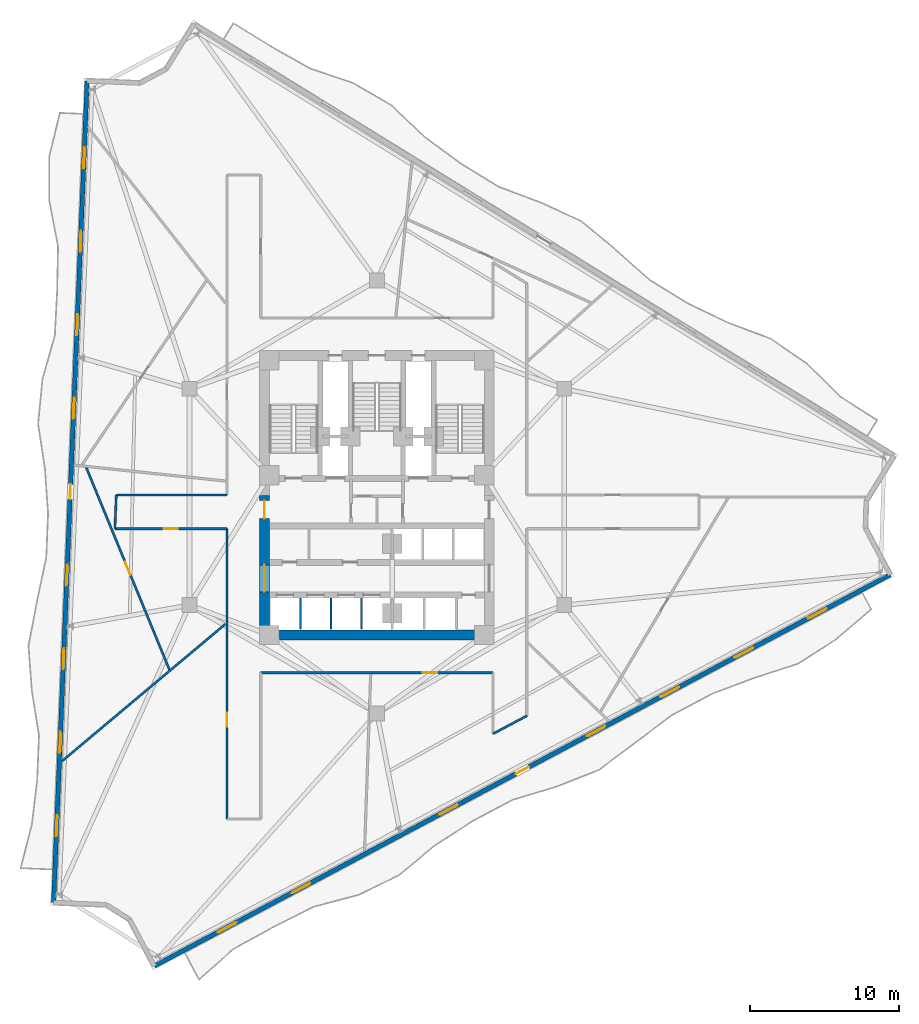
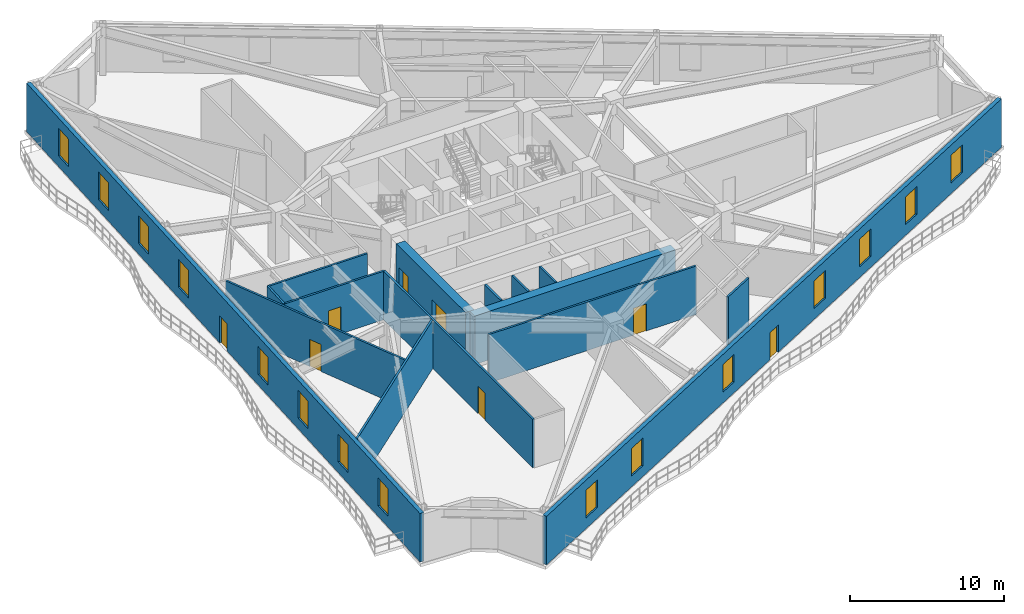
# One storey, part 5 of 12: 15 walls, 15 windows, 8 doors, 23 openings.
"""IFC4 building model written with IfcOpenShell, lengths in metres."""

import ifcopenshell
import ifcopenshell.guid

model = None  # the IFC model being written
_history = None  # IfcOwnerHistory: only IFC2X3 demands one
_inside = {}  # id of a spatial element -> (the spatial element, [elements in it])
_under = {}  # id of a project, library or spatial element -> (it, [spatial elements below it])
_declared = {}  # id of a project -> (the project, [libraries it declares])
_typed = {}  # id of a type object -> (the type object, [elements of that type])
_made_of = {}  # id of a material, layer set ... -> (it, [elements and type objects made of it])


def new_model(schema):
    """Start an empty IFC model of exactly this schema.

    Asked for "IFC4X3", IfcOpenShell would pick the latest addendum, in which some entities
    have other attributes; the version numbers below select the first issue.
    IFC2X3 requires an IfcOwnerHistory on every rooted entity: one is made here for all.
    """
    global model, _history
    if schema == "IFC4X3":
        model = ifcopenshell.file(schema_version=(4, 3, 0, 0))
    else:
        model = ifcopenshell.file(schema=schema)
    _inside.clear()
    _under.clear()
    _declared.clear()
    _typed.clear()
    _made_of.clear()
    _history = None
    if model.schema == "IFC2X3":
        org = make("IfcOrganization", Name="unknown")
        user = make(
            "IfcPersonAndOrganization",
            ThePerson=make("IfcPerson", FamilyName="unknown"),
            TheOrganization=org,
        )
        app = make(
            "IfcApplication",
            ApplicationDeveloper=org,
            Version="unknown",
            ApplicationFullName="unknown",
            ApplicationIdentifier="unknown",
        )
        _history = make(
            "IfcOwnerHistory",
            OwningUser=user,
            OwningApplication=app,
            ChangeAction="ADDED",
            CreationDate=0,
        )
    return model


def make(cls, **values):
    """One entity of the class cls with the attributes given. An attribute that is None is left unset."""
    return model.create_entity(
        cls, **{name: value for name, value in values.items() if value is not None}
    )


def rooted(cls, **values):
    """An entity with a GlobalId (a new one), such as an element, a storey or a relation."""
    return make(cls, GlobalId=ifcopenshell.guid.new(), OwnerHistory=_history, **values)


def si_unit(unit_type, name, prefix=None):
    """IfcSIUnit, for example si_unit("LENGTHUNIT", "METRE", prefix="MILLI")."""
    return make("IfcSIUnit", UnitType=unit_type, Prefix=prefix, Name=name)


def assignment(units):
    """IfcUnitAssignment: the units of a project."""
    return None if units is None else make("IfcUnitAssignment", Units=units)


def point(xyz):
    """IfcCartesianPoint."""
    return None if xyz is None else make("IfcCartesianPoint", Coordinates=xyz)


def direction(xyz):
    """IfcDirection."""
    return None if xyz is None else make("IfcDirection", DirectionRatios=xyz)


def frame(location, z_axis=None, x_axis=None):
    """IfcAxis2Placement3D, a coordinate frame: its origin and axes. An axis left out is left unset."""
    return make(
        "IfcAxis2Placement3D",
        Location=point(location),
        Axis=direction(z_axis),
        RefDirection=direction(x_axis),
    )


def frame_2d(location, x_axis=None):
    """IfcAxis2Placement2D, a coordinate frame in the plane: its origin and x axis."""
    return make(
        "IfcAxis2Placement2D", Location=point(location), RefDirection=direction(x_axis)
    )


def origin():
    """The frame at (0, 0, 0) with its axes left unset."""
    return frame((0.0, 0.0, 0.0))


def place(relative_to, where):
    """IfcLocalPlacement: puts the frame where relative to a parent placement (None: the world)."""
    return make(
        "IfcLocalPlacement", PlacementRelTo=relative_to, RelativePlacement=where
    )


def context(
    kind, dimensions, precision=None, world=None, true_north=None, identifier=None
):
    """IfcGeometricRepresentationContext, for example the 3D "Model" context."""
    return make(
        "IfcGeometricRepresentationContext",
        ContextIdentifier=identifier,
        ContextType=kind,
        CoordinateSpaceDimension=dimensions,
        Precision=precision,
        WorldCoordinateSystem=world,
        TrueNorth=true_north,
    )


def subcontext(parent, identifier, kind, view, scale=None):
    """IfcGeometricRepresentationSubContext, for example "Body" below "Model"."""
    return make(
        "IfcGeometricRepresentationSubContext",
        ContextIdentifier=identifier,
        ContextType=kind,
        ParentContext=parent,
        TargetScale=scale,
        TargetView=view,
    )


def project(units=None, contexts=None):
    """IfcProject with its units and contexts."""
    return rooted(
        "IfcProject",
        Name="project",
        RepresentationContexts=contexts,
        UnitsInContext=assignment(units),
    )


def spatial(cls, under=None, at=None, **own):
    """A site, building, storey or space (cls), placed at a placement, below another one or the project."""
    s = rooted(cls, ObjectPlacement=at, **own)
    if under is not None:
        _under.setdefault(under.id(), (under, []))[1].append(s)
    return s


def profile(cls, at=None, kind="AREA", **sizes):
    """A parametric profile (cls). Its sizes go by their IFC names, for example OverallWidth=200.0."""
    return make(cls, ProfileType=kind, Position=at, **sizes)


def rectangle(**sizes):
    """IfcRectangleProfileDef."""
    return profile("IfcRectangleProfileDef", **sizes)


def extrude(swept, where, along, depth):
    """IfcExtrudedAreaSolid: the profile swept, set in the frame where, extruded along a direction by depth."""
    return make(
        "IfcExtrudedAreaSolid",
        SweptArea=swept,
        Position=where,
        ExtrudedDirection=direction(along),
        Depth=depth,
    )


def shape(context_of_items, identifier, shape_type, items):
    """IfcShapeRepresentation: the items that make up one representation, for example the "Body"."""
    return make(
        "IfcShapeRepresentation",
        ContextOfItems=context_of_items,
        RepresentationIdentifier=identifier,
        RepresentationType=shape_type,
        Items=items,
    )


def material(Name=None, Category=None):
    """IfcMaterial."""
    return make("IfcMaterial", Name=Name, Category=Category)


def layer(
    of_material, thickness, ventilated=None, Name=None, Category=None, Priority=None
):
    """IfcMaterialLayer: one layer of a wall or slab, of a material (None: an air gap)."""
    return make(
        "IfcMaterialLayer",
        Material=of_material,
        LayerThickness=thickness,
        IsVentilated=ventilated,
        Name=Name,
        Category=Category,
        Priority=Priority,
    )


def layer_set(layers, Name=None):
    """IfcMaterialLayerSet."""
    return make("IfcMaterialLayerSet", MaterialLayers=layers, LayerSetName=Name)


def made_of(thing, what):
    """Note that an element or type object is made of a material, layer set ...; save() writes the relation."""
    if what is not None:
        _made_of.setdefault(what.id(), (what, []))[1].append(thing)
    return thing


def type_object(cls, material=None, **own):
    """A type object (cls), such as IfcWallType, which elements share."""
    return made_of(rooted(cls, **own), material)


def element(
    cls,
    number,
    at=None,
    inside=None,
    cuts=None,
    type_object=None,
    material=None,
    context=None,
    identifier="Body",
    shape_type=None,
    held_by="IfcProductDefinitionShape",
    body=None,
    shapes=None,
    **own,
):
    """One element of the class cls, such as IfcWall. Its Tag is "e" and its number.

    at: its placement. inside: the storey or other place that contains it. cuts: it is an
    opening in that element (IfcRelVoidsElement). A single representation is given by context,
    identifier, shape_type and body (its items); several are given by shapes. held_by: the class
    of the entity that holds the representations. save() writes the other relations.
    """
    e = rooted(cls, Tag="e%d" % number, ObjectPlacement=at, **own)
    if body is not None:
        shapes = [shape(context, identifier, shape_type, body)]
    if shapes is not None:
        e.Representation = make(held_by, Representations=shapes)
    if inside is not None:
        _inside.setdefault(inside.id(), (inside, []))[1].append(e)
    if cuts is not None:
        rooted(
            "IfcRelVoidsElement", RelatingBuildingElement=cuts, RelatedOpeningElement=e
        )
    if type_object is not None:
        _typed.setdefault(type_object.id(), (type_object, []))[1].append(e)
    return made_of(e, material)


def fill(opening, filler):
    """IfcRelFillsElement: the door or window that sits in an opening."""
    return rooted(
        "IfcRelFillsElement",
        RelatingOpeningElement=opening,
        RelatedBuildingElement=filler,
    )


def aggregate(whole, parts):
    """IfcRelAggregates: a whole, such as a stair, and the parts it consists of."""
    return rooted("IfcRelAggregates", RelatingObject=whole, RelatedObjects=parts)


def save(model, path):
    """Write the relations noted so far, then the file.

    IfcRelAggregates (storeys below a building ...), IfcRelContainedInSpatialStructure (elements
    in a storey), IfcRelDefinesByType, IfcRelAssociatesMaterial and IfcRelDeclares: one each for
    every whole, place, type object, material and project.
    """
    for whole, parts in _under.values():
        aggregate(whole, parts)
    for where, things in _inside.values():
        rooted(
            "IfcRelContainedInSpatialStructure",
            RelatedElements=things,
            RelatingStructure=where,
        )
    for kind, things in _typed.values():
        rooted("IfcRelDefinesByType", RelatedObjects=things, RelatingType=kind)
    for what, things in _made_of.values():
        rooted("IfcRelAssociatesMaterial", RelatedObjects=things, RelatingMaterial=what)
    for by, libraries in _declared.values():
        rooted("IfcRelDeclares", RelatingContext=by, RelatedDefinitions=libraries)
    model.write(path)


model = new_model("IFC4")

# Units and contexts
model_context = context("Model", 3, precision=1e-05, world=origin(), true_north=direction((0.0, 1.0)))
body_context = subcontext(model_context, "Body", "Model", "MODEL_VIEW")
ifc_project = project(units=[si_unit("LENGTHUNIT", "METRE"), si_unit("AREAUNIT", "SQUARE_METRE"), si_unit("VOLUMEUNIT", "CUBIC_METRE"), si_unit("PLANEANGLEUNIT", "RADIAN"), si_unit("MASSUNIT", "GRAM", prefix="KILO")], contexts=[model_context])

# Site, building, storey
site_placement = place(None, origin())
site = spatial("IfcSite", under=ifc_project, at=site_placement, CompositionType="ELEMENT")
building_placement = place(site_placement, origin())
building = spatial("IfcBuilding", under=site, at=building_placement, Name="Apsidion Concourse Tower", CompositionType="ELEMENT")
storey_placement = place(building_placement, frame((0.0, 0.0, 173.699951171875)))
storey = spatial("IfcBuildingStorey", under=building, at=storey_placement, Name="L40", CompositionType="ELEMENT", Elevation=173.699951171875)

# Wall, openings, door, windows
ifc_material_1 = material(Name="Precast concrete C40/50", Category="concrete")
ifc_layer_1 = layer(ifc_material_1, 0.300048828125)
ifc_layer_set_1 = layer_set([ifc_layer_1], Name="Precast concrete C40/50")
wall_type_1 = type_object("IfcWallType", Name="WL-EXT-300", PredefinedType="STANDARD", material=ifc_layer_set_1)
wall_1_placement = place(storey_placement, frame((34.398193359375, -5.216796875, 0.0), z_axis=(0.0, 0.0, 1.0), x_axis=(-0.88294811928, -0.469470572731, 0.0)))
wall_1 = element("IfcWall", 1, at=wall_1_placement, inside=storey, type_object=wall_type_1, Name="L40 Precast Stone Facade Wall 05", PredefinedType="STANDARD", context=body_context, shape_type="SweptSolid", body=[
    extrude(rectangle(XDim=55.845458984375, YDim=0.300048828125, at=frame_2d((27.9228515625, 0.0))), origin(), (0.0, 0.0, 1.0), 3.85009765625),
])
opening_1_placement = place(wall_1_placement, frame((27.422607421875, 0.0, 0.0)))
opening_1 = element("IfcOpeningElement", 2, at=opening_1_placement, cuts=wall_1, Name="Opening D-T1R", PredefinedType="OPENING", context=body_context, shape_type="SweptSolid", body=[
    extrude(rectangle(XDim=1.0, YDim=2.14990234375, at=frame_2d((0.5, 1.074951171875))), frame((0.0, 0.16015625, 0.0), z_axis=(0.0, -1.0, 0.0), x_axis=(1.0, 0.0, 0.0)), (0.0, 0.0, 1.0), 0.320068359375),
])
opening_2_placement = place(wall_1_placement, frame((4.82275390625, 0.0, 0.85009765625)))
opening_2 = element("IfcOpeningElement", 3, at=opening_2_placement, cuts=wall_1, Name="Opening WN-05", PredefinedType="OPENING", context=body_context, shape_type="SweptSolid", body=[
    extrude(rectangle(XDim=1.39990234375, YDim=2.199951171875, at=frame_2d((0.699951171875, 1.10009765625))), frame((0.0, 0.16015625, 0.0), z_axis=(0.0, -1.0, 0.0), x_axis=(1.0, 0.0, 0.0)), (0.0, 0.0, 1.0), 0.320068359375),
])
opening_3_placement = place(wall_1_placement, frame((10.422607421875, 0.0, 0.85009765625)))
opening_3 = element("IfcOpeningElement", 4, at=opening_3_placement, cuts=wall_1, Name="Opening WN-05", PredefinedType="OPENING", context=body_context, shape_type="SweptSolid", body=[
    extrude(rectangle(XDim=1.39990234375, YDim=2.199951171875, at=frame_2d((0.699951171875, 1.10009765625))), frame((0.0, 0.16015625, 0.0), z_axis=(0.0, -1.0, 0.0), x_axis=(1.0, 0.0, 0.0)), (0.0, 0.0, 1.0), 0.320068359375),
])
opening_4_placement = place(wall_1_placement, frame((16.022705078125, 0.0, 0.85009765625)))
opening_4 = element("IfcOpeningElement", 5, at=opening_4_placement, cuts=wall_1, Name="Opening WN-05", PredefinedType="OPENING", context=body_context, shape_type="SweptSolid", body=[
    extrude(rectangle(XDim=1.39990234375, YDim=2.199951171875, at=frame_2d((0.699951171875, 1.10009765625))), frame((0.0, 0.16015625, 0.0), z_axis=(0.0, -1.0, 0.0), x_axis=(1.0, 0.0, 0.0)), (0.0, 0.0, 1.0), 0.320068359375),
])
opening_5_placement = place(wall_1_placement, frame((21.622802734375, 0.0, 0.85009765625)))
opening_5 = element("IfcOpeningElement", 6, at=opening_5_placement, cuts=wall_1, Name="Opening WN-05", PredefinedType="OPENING", context=body_context, shape_type="SweptSolid", body=[
    extrude(rectangle(XDim=1.39990234375, YDim=2.199951171875, at=frame_2d((0.699951171875, 1.10009765625))), frame((0.0, 0.16015625, 0.0), z_axis=(0.0, -1.0, 0.0), x_axis=(1.0, 0.0, 0.0)), (0.0, 0.0, 1.0), 0.320068359375),
])
opening_6_placement = place(wall_1_placement, frame((32.82275390625, 0.0, 0.85009765625)))
opening_6 = element("IfcOpeningElement", 7, at=opening_6_placement, cuts=wall_1, Name="Opening WN-05", PredefinedType="OPENING", context=body_context, shape_type="SweptSolid", body=[
    extrude(rectangle(XDim=1.39990234375, YDim=2.199951171875, at=frame_2d((0.699951171875, 1.10009765625))), frame((0.0, 0.16015625, 0.0), z_axis=(0.0, -1.0, 0.0), x_axis=(1.0, 0.0, 0.0)), (0.0, 0.0, 1.0), 0.320068359375),
])
opening_7_placement = place(wall_1_placement, frame((44.022705078125, 0.0, 0.85009765625)))
opening_7 = element("IfcOpeningElement", 8, at=opening_7_placement, cuts=wall_1, Name="Opening WN-05", PredefinedType="OPENING", context=body_context, shape_type="SweptSolid", body=[
    extrude(rectangle(XDim=1.39990234375, YDim=2.199951171875, at=frame_2d((0.699951171875, 1.10009765625))), frame((0.0, 0.16015625, 0.0), z_axis=(0.0, -1.0, 0.0), x_axis=(1.0, 0.0, 0.0)), (0.0, 0.0, 1.0), 0.320068359375),
])
opening_8_placement = place(wall_1_placement, frame((49.622802734375, 0.0, 0.85009765625)))
opening_8 = element("IfcOpeningElement", 9, at=opening_8_placement, cuts=wall_1, Name="Opening WN-05", PredefinedType="OPENING", context=body_context, shape_type="SweptSolid", body=[
    extrude(rectangle(XDim=1.39990234375, YDim=2.199951171875, at=frame_2d((0.699951171875, 1.10009765625))), frame((0.0, 0.16015625, 0.0), z_axis=(0.0, -1.0, 0.0), x_axis=(1.0, 0.0, 0.0)), (0.0, 0.0, 1.0), 0.320068359375),
])
ifc_material_2 = material(Name="Anodised aluminium EN AW-6063 T6", Category="aluminium")
door_type_1 = type_object("IfcDoorType", Name="DR-TER-1022R", OperationType="SINGLE_SWING_RIGHT", PredefinedType="DOOR", material=ifc_material_2)
door_1_placement = place(opening_1_placement, origin())
door_1 = element("IfcDoor", 10, at=door_1_placement, inside=storey, type_object=door_type_1, Name="L40 Balcony Access Door 2", OperationType="SINGLE_SWING_RIGHT", OverallHeight=2.14990234375, OverallWidth=1.0, PredefinedType="DOOR", context=body_context, shape_type="SweptSolid", body=[
    extrude(rectangle(XDim=1.0, YDim=2.14990234375, at=frame_2d((0.5, 1.074951171875))), frame((0.0, 0.02490234375, 0.0), z_axis=(0.0, -1.0, 0.0), x_axis=(1.0, 0.0, 0.0)), (0.0, 0.0, 1.0), 0.050048828125),
])
fill(opening_1, door_1)
ifc_material_3 = material(Name="Insulated laminated low-E glass", Category="glass")
window_type = type_object("IfcWindowType", Name="WN-OFF-1424", PartitioningType="SINGLE_PANEL", PredefinedType="WINDOW", material=ifc_material_3)
window_1_placement = place(opening_2_placement, origin())
window_1 = element("IfcWindow", 11, at=window_1_placement, inside=storey, type_object=window_type, Name="L40 Punched Facade Window 5-01", OverallHeight=2.199951171875, OverallWidth=1.39990234375, PartitioningType="SINGLE_PANEL", PredefinedType="WINDOW", context=body_context, shape_type="SweptSolid", body=[
    extrude(rectangle(XDim=1.39990234375, YDim=2.199951171875, at=frame_2d((0.699951171875, 1.10009765625))), frame((0.0, 0.030029296875, 0.0), z_axis=(0.0, -1.0, 0.0), x_axis=(1.0, 0.0, 0.0)), (0.0, 0.0, 1.0), 0.06005859375),
])
fill(opening_2, window_1)
window_2_placement = place(opening_3_placement, origin())
window_2 = element("IfcWindow", 12, at=window_2_placement, inside=storey, type_object=window_type, Name="L40 Punched Facade Window 5-02", OverallHeight=2.199951171875, OverallWidth=1.39990234375, PartitioningType="SINGLE_PANEL", PredefinedType="WINDOW", context=body_context, shape_type="SweptSolid", body=[
    extrude(rectangle(XDim=1.39990234375, YDim=2.199951171875, at=frame_2d((0.699951171875, 1.10009765625))), frame((0.0, 0.030029296875, 0.0), z_axis=(0.0, -1.0, 0.0), x_axis=(1.0, 0.0, 0.0)), (0.0, 0.0, 1.0), 0.06005859375),
])
fill(opening_3, window_2)
window_3_placement = place(opening_4_placement, origin())
window_3 = element("IfcWindow", 13, at=window_3_placement, inside=storey, type_object=window_type, Name="L40 Punched Facade Window 5-03", OverallHeight=2.199951171875, OverallWidth=1.39990234375, PartitioningType="SINGLE_PANEL", PredefinedType="WINDOW", context=body_context, shape_type="SweptSolid", body=[
    extrude(rectangle(XDim=1.39990234375, YDim=2.199951171875, at=frame_2d((0.699951171875, 1.10009765625))), frame((0.0, 0.030029296875, 0.0), z_axis=(0.0, -1.0, 0.0), x_axis=(1.0, 0.0, 0.0)), (0.0, 0.0, 1.0), 0.06005859375),
])
fill(opening_4, window_3)
window_4_placement = place(opening_5_placement, origin())
window_4 = element("IfcWindow", 14, at=window_4_placement, inside=storey, type_object=window_type, Name="L40 Punched Facade Window 5-04", OverallHeight=2.199951171875, OverallWidth=1.39990234375, PartitioningType="SINGLE_PANEL", PredefinedType="WINDOW", context=body_context, shape_type="SweptSolid", body=[
    extrude(rectangle(XDim=1.39990234375, YDim=2.199951171875, at=frame_2d((0.699951171875, 1.10009765625))), frame((0.0, 0.030029296875, 0.0), z_axis=(0.0, -1.0, 0.0), x_axis=(1.0, 0.0, 0.0)), (0.0, 0.0, 1.0), 0.06005859375),
])
fill(opening_5, window_4)
window_5_placement = place(opening_6_placement, origin())
window_5 = element("IfcWindow", 15, at=window_5_placement, inside=storey, type_object=window_type, Name="L40 Punched Facade Window 5-06", OverallHeight=2.199951171875, OverallWidth=1.39990234375, PartitioningType="SINGLE_PANEL", PredefinedType="WINDOW", context=body_context, shape_type="SweptSolid", body=[
    extrude(rectangle(XDim=1.39990234375, YDim=2.199951171875, at=frame_2d((0.699951171875, 1.10009765625))), frame((0.0, 0.030029296875, 0.0), z_axis=(0.0, -1.0, 0.0), x_axis=(1.0, 0.0, 0.0)), (0.0, 0.0, 1.0), 0.06005859375),
])
fill(opening_6, window_5)
window_6_placement = place(opening_7_placement, origin())
window_6 = element("IfcWindow", 16, at=window_6_placement, inside=storey, type_object=window_type, Name="L40 Punched Facade Window 5-08", OverallHeight=2.199951171875, OverallWidth=1.39990234375, PartitioningType="SINGLE_PANEL", PredefinedType="WINDOW", context=body_context, shape_type="SweptSolid", body=[
    extrude(rectangle(XDim=1.39990234375, YDim=2.199951171875, at=frame_2d((0.699951171875, 1.10009765625))), frame((0.0, 0.030029296875, 0.0), z_axis=(0.0, -1.0, 0.0), x_axis=(1.0, 0.0, 0.0)), (0.0, 0.0, 1.0), 0.06005859375),
])
fill(opening_7, window_6)
window_7_placement = place(opening_8_placement, origin())
window_7 = element("IfcWindow", 17, at=window_7_placement, inside=storey, type_object=window_type, Name="L40 Punched Facade Window 5-09", OverallHeight=2.199951171875, OverallWidth=1.39990234375, PartitioningType="SINGLE_PANEL", PredefinedType="WINDOW", context=body_context, shape_type="SweptSolid", body=[
    extrude(rectangle(XDim=1.39990234375, YDim=2.199951171875, at=frame_2d((0.699951171875, 1.10009765625))), frame((0.0, 0.030029296875, 0.0), z_axis=(0.0, -1.0, 0.0), x_axis=(1.0, 0.0, 0.0)), (0.0, 0.0, 1.0), 0.06005859375),
])
fill(opening_8, window_7)

wall_2_placement = place(storey_placement, frame((-21.66748046875, -27.184326171875, 0.0), z_axis=(0.0, 0.0, 1.0), x_axis=(0.040813869681, 0.999166766882, 0.0)))
wall_2 = element("IfcWall", 18, at=wall_2_placement, inside=storey, type_object=wall_type_1, Name="L40 Precast Stone Facade Wall 09", PredefinedType="STANDARD", context=body_context, shape_type="SweptSolid", body=[
    extrude(rectangle(XDim=55.1103515625, YDim=0.300048828125, at=frame_2d((27.55517578125, 0.0))), origin(), (0.0, 0.0, 1.0), 3.85009765625),
])
opening_9_placement = place(wall_2_placement, frame((27.055419921875, 0.0, 0.0)))
opening_9 = element("IfcOpeningElement", 19, at=opening_9_placement, cuts=wall_2, Name="Opening D-T1L", PredefinedType="OPENING", context=body_context, shape_type="SweptSolid", body=[
    extrude(rectangle(XDim=1.0, YDim=2.14990234375, at=frame_2d((0.5, 1.074951171875))), frame((0.0, 0.16015625, 0.0), z_axis=(0.0, -1.0, 0.0), x_axis=(1.0, 0.0, 0.0)), (0.0, 0.0, 1.0), 0.320068359375),
])
opening_10_placement = place(wall_2_placement, frame((4.455322265625, 0.0, 0.85009765625)))
opening_10 = element("IfcOpeningElement", 20, at=opening_10_placement, cuts=wall_2, Name="Opening WN-05", PredefinedType="OPENING", context=body_context, shape_type="SweptSolid", body=[
    extrude(rectangle(XDim=1.39990234375, YDim=2.199951171875, at=frame_2d((0.699951171875, 1.10009765625))), frame((0.0, 0.16015625, 0.0), z_axis=(0.0, -1.0, 0.0), x_axis=(1.0, 0.0, 0.0)), (0.0, 0.0, 1.0), 0.320068359375),
])
opening_11_placement = place(wall_2_placement, frame((10.055419921875, 0.0, 0.85009765625)))
opening_11 = element("IfcOpeningElement", 21, at=opening_11_placement, cuts=wall_2, Name="Opening WN-05", PredefinedType="OPENING", context=body_context, shape_type="SweptSolid", body=[
    extrude(rectangle(XDim=1.39990234375, YDim=2.199951171875, at=frame_2d((0.699951171875, 1.10009765625))), frame((0.0, 0.16015625, 0.0), z_axis=(0.0, -1.0, 0.0), x_axis=(1.0, 0.0, 0.0)), (0.0, 0.0, 1.0), 0.320068359375),
])
opening_12_placement = place(wall_2_placement, frame((15.6552734375, 0.0, 0.85009765625)))
opening_12 = element("IfcOpeningElement", 22, at=opening_12_placement, cuts=wall_2, Name="Opening WN-05", PredefinedType="OPENING", context=body_context, shape_type="SweptSolid", body=[
    extrude(rectangle(XDim=1.39990234375, YDim=2.199951171875, at=frame_2d((0.699951171875, 1.10009765625))), frame((0.0, 0.16015625, 0.0), z_axis=(0.0, -1.0, 0.0), x_axis=(1.0, 0.0, 0.0)), (0.0, 0.0, 1.0), 0.320068359375),
])
opening_13_placement = place(wall_2_placement, frame((21.25537109375, 0.0, 0.85009765625)))
opening_13 = element("IfcOpeningElement", 23, at=opening_13_placement, cuts=wall_2, Name="Opening WN-05", PredefinedType="OPENING", context=body_context, shape_type="SweptSolid", body=[
    extrude(rectangle(XDim=1.39990234375, YDim=2.199951171875, at=frame_2d((0.699951171875, 1.10009765625))), frame((0.0, 0.16015625, 0.0), z_axis=(0.0, -1.0, 0.0), x_axis=(1.0, 0.0, 0.0)), (0.0, 0.0, 1.0), 0.320068359375),
])
opening_14_placement = place(wall_2_placement, frame((32.455322265625, 0.0, 0.85009765625)))
opening_14 = element("IfcOpeningElement", 24, at=opening_14_placement, cuts=wall_2, Name="Opening WN-05", PredefinedType="OPENING", context=body_context, shape_type="SweptSolid", body=[
    extrude(rectangle(XDim=1.39990234375, YDim=2.199951171875, at=frame_2d((0.699951171875, 1.10009765625))), frame((0.0, 0.16015625, 0.0), z_axis=(0.0, -1.0, 0.0), x_axis=(1.0, 0.0, 0.0)), (0.0, 0.0, 1.0), 0.320068359375),
])
opening_15_placement = place(wall_2_placement, frame((38.055419921875, 0.0, 0.85009765625)))
opening_15 = element("IfcOpeningElement", 25, at=opening_15_placement, cuts=wall_2, Name="Opening WN-05", PredefinedType="OPENING", context=body_context, shape_type="SweptSolid", body=[
    extrude(rectangle(XDim=1.39990234375, YDim=2.199951171875, at=frame_2d((0.699951171875, 1.10009765625))), frame((0.0, 0.16015625, 0.0), z_axis=(0.0, -1.0, 0.0), x_axis=(1.0, 0.0, 0.0)), (0.0, 0.0, 1.0), 0.320068359375),
])
opening_16_placement = place(wall_2_placement, frame((43.6552734375, 0.0, 0.85009765625)))
opening_16 = element("IfcOpeningElement", 26, at=opening_16_placement, cuts=wall_2, Name="Opening WN-05", PredefinedType="OPENING", context=body_context, shape_type="SweptSolid", body=[
    extrude(rectangle(XDim=1.39990234375, YDim=2.199951171875, at=frame_2d((0.699951171875, 1.10009765625))), frame((0.0, 0.16015625, 0.0), z_axis=(0.0, -1.0, 0.0), x_axis=(1.0, 0.0, 0.0)), (0.0, 0.0, 1.0), 0.320068359375),
])
opening_17_placement = place(wall_2_placement, frame((49.25537109375, 0.0, 0.85009765625)))
opening_17 = element("IfcOpeningElement", 27, at=opening_17_placement, cuts=wall_2, Name="Opening WN-05", PredefinedType="OPENING", context=body_context, shape_type="SweptSolid", body=[
    extrude(rectangle(XDim=1.39990234375, YDim=2.199951171875, at=frame_2d((0.699951171875, 1.10009765625))), frame((0.0, 0.16015625, 0.0), z_axis=(0.0, -1.0, 0.0), x_axis=(1.0, 0.0, 0.0)), (0.0, 0.0, 1.0), 0.320068359375),
])
door_type_2 = type_object("IfcDoorType", Name="DR-TER-1022L", OperationType="SINGLE_SWING_LEFT", PredefinedType="DOOR", material=ifc_material_2)
door_2_placement = place(opening_9_placement, origin())
door_2 = element("IfcDoor", 28, at=door_2_placement, inside=storey, type_object=door_type_2, Name="L40 Balcony Access Door 1", OperationType="SINGLE_SWING_LEFT", OverallHeight=2.14990234375, OverallWidth=1.0, PredefinedType="DOOR", context=body_context, shape_type="SweptSolid", body=[
    extrude(rectangle(XDim=1.0, YDim=2.14990234375, at=frame_2d((0.5, 1.074951171875))), frame((0.0, 0.02490234375, 0.0), z_axis=(0.0, -1.0, 0.0), x_axis=(1.0, 0.0, 0.0)), (0.0, 0.0, 1.0), 0.050048828125),
])
fill(opening_9, door_2)
window_8_placement = place(opening_10_placement, origin())
window_8 = element("IfcWindow", 29, at=window_8_placement, inside=storey, type_object=window_type, Name="L40 Punched Facade Window 9-01", OverallHeight=2.199951171875, OverallWidth=1.39990234375, PartitioningType="SINGLE_PANEL", PredefinedType="WINDOW", context=body_context, shape_type="SweptSolid", body=[
    extrude(rectangle(XDim=1.39990234375, YDim=2.199951171875, at=frame_2d((0.699951171875, 1.10009765625))), frame((0.0, 0.030029296875, 0.0), z_axis=(0.0, -1.0, 0.0), x_axis=(1.0, 0.0, 0.0)), (0.0, 0.0, 1.0), 0.06005859375),
])
fill(opening_10, window_8)
window_9_placement = place(opening_11_placement, origin())
window_9 = element("IfcWindow", 30, at=window_9_placement, inside=storey, type_object=window_type, Name="L40 Punched Facade Window 9-02", OverallHeight=2.199951171875, OverallWidth=1.39990234375, PartitioningType="SINGLE_PANEL", PredefinedType="WINDOW", context=body_context, shape_type="SweptSolid", body=[
    extrude(rectangle(XDim=1.39990234375, YDim=2.199951171875, at=frame_2d((0.699951171875, 1.10009765625))), frame((0.0, 0.030029296875, 0.0), z_axis=(0.0, -1.0, 0.0), x_axis=(1.0, 0.0, 0.0)), (0.0, 0.0, 1.0), 0.06005859375),
])
fill(opening_11, window_9)
window_10_placement = place(opening_12_placement, origin())
window_10 = element("IfcWindow", 31, at=window_10_placement, inside=storey, type_object=window_type, Name="L40 Punched Facade Window 9-03", OverallHeight=2.199951171875, OverallWidth=1.39990234375, PartitioningType="SINGLE_PANEL", PredefinedType="WINDOW", context=body_context, shape_type="SweptSolid", body=[
    extrude(rectangle(XDim=1.39990234375, YDim=2.199951171875, at=frame_2d((0.699951171875, 1.10009765625))), frame((0.0, 0.030029296875, 0.0), z_axis=(0.0, -1.0, 0.0), x_axis=(1.0, 0.0, 0.0)), (0.0, 0.0, 1.0), 0.06005859375),
])
fill(opening_12, window_10)
window_11_placement = place(opening_13_placement, origin())
window_11 = element("IfcWindow", 32, at=window_11_placement, inside=storey, type_object=window_type, Name="L40 Punched Facade Window 9-04", OverallHeight=2.199951171875, OverallWidth=1.39990234375, PartitioningType="SINGLE_PANEL", PredefinedType="WINDOW", context=body_context, shape_type="SweptSolid", body=[
    extrude(rectangle(XDim=1.39990234375, YDim=2.199951171875, at=frame_2d((0.699951171875, 1.10009765625))), frame((0.0, 0.030029296875, 0.0), z_axis=(0.0, -1.0, 0.0), x_axis=(1.0, 0.0, 0.0)), (0.0, 0.0, 1.0), 0.06005859375),
])
fill(opening_13, window_11)
window_12_placement = place(opening_14_placement, origin())
window_12 = element("IfcWindow", 33, at=window_12_placement, inside=storey, type_object=window_type, Name="L40 Punched Facade Window 9-06", OverallHeight=2.199951171875, OverallWidth=1.39990234375, PartitioningType="SINGLE_PANEL", PredefinedType="WINDOW", context=body_context, shape_type="SweptSolid", body=[
    extrude(rectangle(XDim=1.39990234375, YDim=2.199951171875, at=frame_2d((0.699951171875, 1.10009765625))), frame((0.0, 0.030029296875, 0.0), z_axis=(0.0, -1.0, 0.0), x_axis=(1.0, 0.0, 0.0)), (0.0, 0.0, 1.0), 0.06005859375),
])
fill(opening_14, window_12)
window_13_placement = place(opening_15_placement, origin())
window_13 = element("IfcWindow", 34, at=window_13_placement, inside=storey, type_object=window_type, Name="L40 Punched Facade Window 9-07", OverallHeight=2.199951171875, OverallWidth=1.39990234375, PartitioningType="SINGLE_PANEL", PredefinedType="WINDOW", context=body_context, shape_type="SweptSolid", body=[
    extrude(rectangle(XDim=1.39990234375, YDim=2.199951171875, at=frame_2d((0.699951171875, 1.10009765625))), frame((0.0, 0.030029296875, 0.0), z_axis=(0.0, -1.0, 0.0), x_axis=(1.0, 0.0, 0.0)), (0.0, 0.0, 1.0), 0.06005859375),
])
fill(opening_15, window_13)
window_14_placement = place(opening_16_placement, origin())
window_14 = element("IfcWindow", 35, at=window_14_placement, inside=storey, type_object=window_type, Name="L40 Punched Facade Window 9-08", OverallHeight=2.199951171875, OverallWidth=1.39990234375, PartitioningType="SINGLE_PANEL", PredefinedType="WINDOW", context=body_context, shape_type="SweptSolid", body=[
    extrude(rectangle(XDim=1.39990234375, YDim=2.199951171875, at=frame_2d((0.699951171875, 1.10009765625))), frame((0.0, 0.030029296875, 0.0), z_axis=(0.0, -1.0, 0.0), x_axis=(1.0, 0.0, 0.0)), (0.0, 0.0, 1.0), 0.06005859375),
])
fill(opening_16, window_14)
window_15_placement = place(opening_17_placement, origin())
window_15 = element("IfcWindow", 36, at=window_15_placement, inside=storey, type_object=window_type, Name="L40 Punched Facade Window 9-09", OverallHeight=2.199951171875, OverallWidth=1.39990234375, PartitioningType="SINGLE_PANEL", PredefinedType="WINDOW", context=body_context, shape_type="SweptSolid", body=[
    extrude(rectangle(XDim=1.39990234375, YDim=2.199951171875, at=frame_2d((0.699951171875, 1.10009765625))), frame((0.0, 0.030029296875, 0.0), z_axis=(0.0, -1.0, 0.0), x_axis=(1.0, 0.0, 0.0)), (0.0, 0.0, 1.0), 0.06005859375),
])
fill(opening_17, window_15)

# Walls
ifc_material_4 = material(Name="Gypsum plasterboard partition")
ifc_layer_2 = layer(ifc_material_4, 0.14990234375)
ifc_layer_set_2 = layer_set([ifc_layer_2], Name="Gypsum plasterboard partition")
wall_type_2 = type_object("IfcWallType", Name="WL-INT-PAR-150", PredefinedType="PARTITIONING", material=ifc_layer_set_2)
for number, where, z_axis, x_axis, name in (
    (37, (-5.125, -8.85009765625, 0.0), (0.0, 0.0, 1.0), (0.0, 1.0, 0.0), "L40 Interior Partition WL-L40-B2DIV-1"),
    (38, (-3.074951171875, -8.85009765625, 0.0), (0.0, 0.0, 1.0), (0.0, 1.0, 0.0), "L40 Interior Partition WL-L40-B2DIV-2"),
    (39, (-1.02490234375, -8.85009765625, 0.0), (0.0, 0.0, 1.0), (0.0, 1.0, 0.0), "L40 Interior Partition WL-L40-B2DIV-3"),
):
    element("IfcWall", number, at=place(storey_placement, frame(where, z_axis=z_axis, x_axis=x_axis)), inside=storey, type_object=wall_type_2, Name=name, PredefinedType="PARTITIONING", context=body_context, shape_type="SweptSolid", body=[
        extrude(rectangle(XDim=2.080078125, YDim=0.14990234375, at=frame_2d((1.0400390625, 0.0))), origin(), (0.0, 0.0, 1.0), 3.85009765625),
    ])
wall_3_placement = place(storey_placement, frame((10.050048828125, -14.6689453125, 0.0), z_axis=(0.0, 0.0, 1.0), x_axis=(-0.88294894539, -0.469469019035, 0.0)))
element("IfcWall", 40, at=wall_3_placement, inside=storey, type_object=wall_type_2, Name="L40 Interior Partition WL-L40-CORR-01", PredefinedType="PARTITIONING", context=body_context, shape_type="SweptSolid", body=[
    extrude(rectangle(XDim=2.5595703125, YDim=0.14990234375, at=frame_2d((1.27978515625, 0.0))), origin(), (0.0, 0.0, 1.0), 3.85009765625),
])

# Wall, opening, door
wall_4_placement = place(storey_placement, frame((7.7900390625, -11.77490234375, 0.0), z_axis=(0.0, 0.0, 1.0), x_axis=(-1.0, 0.0, 0.0)))
wall_4 = element("IfcWall", 41, at=wall_4_placement, inside=storey, type_object=wall_type_2, Name="L40 Interior Partition WL-L40-CORR-03", PredefinedType="PARTITIONING", context=body_context, shape_type="SweptSolid", body=[
    extrude(rectangle(XDim=15.580078125, YDim=0.14990234375, at=frame_2d((7.7900390625, 0.0))), origin(), (0.0, 0.0, 1.0), 3.85009765625),
])
opening_18_placement = place(wall_4_placement, frame((3.7548828125, 0.0, 0.0)))
opening_18 = element("IfcOpeningElement", 42, at=opening_18_placement, cuts=wall_4, Name="Opening D-01L", PredefinedType="OPENING", context=body_context, shape_type="SweptSolid", body=[
    extrude(rectangle(XDim=0.949951171875, YDim=2.14990234375, at=frame_2d((0.47509765625, 1.074951171875))), frame((0.0, 0.0849609375, 0.0), z_axis=(0.0, -1.0, 0.0), x_axis=(1.0, 0.0, 0.0)), (0.0, 0.0, 1.0), 0.169921875),
])
ifc_material_5 = material(Name="Brushed stainless steel 316", Category="steel")
door_type_3 = type_object("IfcDoorType", Name="DR-INT-D01L", OperationType="SINGLE_SWING_LEFT", PredefinedType="DOOR", material=ifc_material_5)
door_3_placement = place(opening_18_placement, origin())
door_3 = element("IfcDoor", 43, at=door_3_placement, inside=storey, type_object=door_type_3, Name="L40 Corridor Entry Door 03", OperationType="SINGLE_SWING_LEFT", OverallHeight=2.14990234375, OverallWidth=0.949951171875, PredefinedType="DOOR", context=body_context, shape_type="SweptSolid", body=[
    extrude(rectangle(XDim=0.949951171875, YDim=2.14990234375, at=frame_2d((0.47509765625, 1.074951171875))), frame((0.0, 0.02490234375, 0.0), z_axis=(0.0, -1.0, 0.0), x_axis=(1.0, 0.0, 0.0)), (0.0, 0.0, 1.0), 0.050048828125),
])
fill(opening_18, door_3)

wall_5_placement = place(storey_placement, frame((-10.050048828125, -21.580078125, 0.0), z_axis=(0.0, 0.0, 1.0), x_axis=(0.0, 1.0, 0.0)))
wall_5 = element("IfcWall", 44, at=wall_5_placement, inside=storey, type_object=wall_type_2, Name="L40 Interior Partition WL-L40-CORR-06", PredefinedType="PARTITIONING", context=body_context, shape_type="SweptSolid", body=[
    extrude(rectangle(XDim=19.4501953125, YDim=0.14990234375, at=frame_2d((9.72509765625, 0.0))), origin(), (0.0, 0.0, 1.0), 3.85009765625),
])
opening_19_placement = place(wall_5_placement, frame((6.1787109375, 0.0, 0.0)))
opening_19 = element("IfcOpeningElement", 45, at=opening_19_placement, cuts=wall_5, Name="Opening D-01R", PredefinedType="OPENING", context=body_context, shape_type="SweptSolid", body=[
    extrude(rectangle(XDim=0.949951171875, YDim=2.14990234375, at=frame_2d((0.47509765625, 1.074951171875))), frame((0.0, 0.0849609375, 0.0), z_axis=(0.0, -1.0, 0.0), x_axis=(1.0, 0.0, 0.0)), (0.0, 0.0, 1.0), 0.169921875),
])
door_type_4 = type_object("IfcDoorType", Name="DR-INT-D01R", OperationType="SINGLE_SWING_RIGHT", PredefinedType="DOOR", material=ifc_material_5)
door_4_placement = place(opening_19_placement, origin())
door_4 = element("IfcDoor", 46, at=door_4_placement, inside=storey, type_object=door_type_4, Name="L40 Corridor Entry Door 02", OperationType="SINGLE_SWING_RIGHT", OverallHeight=2.14990234375, OverallWidth=0.949951171875, PredefinedType="DOOR", context=body_context, shape_type="SweptSolid", body=[
    extrude(rectangle(XDim=0.949951171875, YDim=2.14990234375, at=frame_2d((0.47509765625, 1.074951171875))), frame((0.0, 0.02490234375, 0.0), z_axis=(0.0, -1.0, 0.0), x_axis=(1.0, 0.0, 0.0)), (0.0, 0.0, 1.0), 0.050048828125),
])
fill(opening_19, door_4)

wall_6_placement = place(storey_placement, frame((-10.050048828125, -2.1298828125, 0.0), z_axis=(0.0, 0.0, 1.0), x_axis=(-1.0, 0.0, 0.0)))
wall_6 = element("IfcWall", 47, at=wall_6_placement, inside=storey, type_object=wall_type_2, Name="L40 Interior Partition WL-L40-CORR-07", PredefinedType="PARTITIONING", context=body_context, shape_type="SweptSolid", body=[
    extrude(rectangle(XDim=7.50634765625, YDim=0.14990234375, at=frame_2d((3.753173828125, 0.0))), origin(), (0.0, 0.0, 1.0), 3.85009765625),
])
opening_20_placement = place(wall_6_placement, frame((3.2783203125, 0.0, 0.0)))
opening_20 = element("IfcOpeningElement", 48, at=opening_20_placement, cuts=wall_6, Name="Opening D-01L", PredefinedType="OPENING", context=body_context, shape_type="SweptSolid", body=[
    extrude(rectangle(XDim=0.949951171875, YDim=2.14990234375, at=frame_2d((0.47509765625, 1.074951171875))), frame((0.0, 0.0849609375, 0.0), z_axis=(0.0, -1.0, 0.0), x_axis=(1.0, 0.0, 0.0)), (0.0, 0.0, 1.0), 0.169921875),
])
door_5_placement = place(opening_20_placement, origin())
door_5 = element("IfcDoor", 49, at=door_5_placement, inside=storey, type_object=door_type_3, Name="L40 Corridor Entry Door 01", OperationType="SINGLE_SWING_LEFT", OverallHeight=2.14990234375, OverallWidth=0.949951171875, PredefinedType="DOOR", context=body_context, shape_type="SweptSolid", body=[
    extrude(rectangle(XDim=0.949951171875, YDim=2.14990234375, at=frame_2d((0.47509765625, 1.074951171875))), frame((0.0, 0.02490234375, 0.0), z_axis=(0.0, -1.0, 0.0), x_axis=(1.0, 0.0, 0.0)), (0.0, 0.0, 1.0), 0.050048828125),
])
fill(opening_20, door_5)

# Walls
wall_7_placement = place(storey_placement, frame((-17.556396484375, -2.1298828125, 0.0), z_axis=(0.0, 0.0, 1.0), x_axis=(0.040804363078, 0.999167155162, 0.0)))
element("IfcWall", 50, at=wall_7_placement, inside=storey, type_object=wall_type_2, Name="L40 Interior Partition WL-L40-CORR-08", PredefinedType="PARTITIONING", context=body_context, shape_type="SweptSolid", body=[
    extrude(rectangle(XDim=2.26171875, YDim=0.14990234375, at=frame_2d((1.130859375, 0.0))), origin(), (0.0, 0.0, 1.0), 3.85009765625),
])
wall_8_placement = place(storey_placement, frame((-17.464111328125, 0.1298828125, 0.0), z_axis=(0.0, 0.0, 1.0), x_axis=(1.0, 0.0, 0.0)))
element("IfcWall", 51, at=wall_8_placement, inside=storey, type_object=wall_type_2, Name="L40 Interior Partition WL-L40-CORR-09", PredefinedType="PARTITIONING", context=body_context, shape_type="SweptSolid", body=[
    extrude(rectangle(XDim=7.4140625, YDim=0.14990234375, at=frame_2d((3.70703125, 0.0))), origin(), (0.0, 0.0, 1.0), 3.85009765625),
])
wall_9_placement = place(storey_placement, frame((-10.155029296875, -8.52099609375, 0.0), z_axis=(0.0, 0.0, 1.0), x_axis=(-0.766040568436, -0.642792227326, 0.0)))
element("IfcWall", 52, at=wall_9_placement, inside=storey, type_object=wall_type_2, Name="L40 Interior Partition WL-L40-RAD-06-1", PredefinedType="PARTITIONING", context=body_context, shape_type="SweptSolid", body=[
    extrude(rectangle(XDim=14.307861328125, YDim=0.14990234375, at=frame_2d((7.15380859375, 0.0))), origin(), (0.0, 0.0, 1.0), 3.85009765625),
])

# Wall, opening, door
wall_10_placement = place(storey_placement, frame((-19.499267578125, 2.0244140625, 0.0), z_axis=(0.0, 0.0, 1.0), x_axis=(0.380386065198, -0.924827790133, 0.0)))
wall_10 = element("IfcWall", 53, at=wall_10_placement, inside=storey, type_object=wall_type_2, Name="L40 Interior Partition WL-L40-CHD-OFWC", PredefinedType="PARTITIONING", context=body_context, shape_type="SweptSolid", body=[
    extrude(rectangle(XDim=14.753662109375, YDim=0.14990234375, at=frame_2d((7.376953125, 0.0))), origin(), (0.0, 0.0, 1.0), 3.85009765625),
])
opening_21_placement = place(wall_10_placement, frame((6.90185546875, 0.0, 0.0)))
opening_21 = element("IfcOpeningElement", 54, at=opening_21_placement, cuts=wall_10, Name="Opening D-04L", PredefinedType="OPENING", context=body_context, shape_type="SweptSolid", body=[
    extrude(rectangle(XDim=0.949951171875, YDim=2.14990234375, at=frame_2d((0.47509765625, 1.074951171875))), frame((0.0, 0.0849609375, 0.0), z_axis=(0.0, -1.0, 0.0), x_axis=(1.0, 0.0, 0.0)), (0.0, 0.0, 1.0), 0.169921875),
])
door_type_5 = type_object("IfcDoorType", Name="DR-INT-D04L", OperationType="SINGLE_SWING_LEFT", PredefinedType="DOOR", material=ifc_material_5)
door_6_placement = place(opening_21_placement, origin())
door_6 = element("IfcDoor", 55, at=door_6_placement, inside=storey, type_object=door_type_5, Name="L40 Suite Connecting Door OFWC", OperationType="SINGLE_SWING_LEFT", OverallHeight=2.14990234375, OverallWidth=0.949951171875, PredefinedType="DOOR", context=body_context, shape_type="SweptSolid", body=[
    extrude(rectangle(XDim=0.949951171875, YDim=2.14990234375, at=frame_2d((0.47509765625, 1.074951171875))), frame((0.0, 0.02490234375, 0.0), z_axis=(0.0, -1.0, 0.0), x_axis=(1.0, 0.0, 0.0)), (0.0, 0.0, 1.0), 0.050048828125),
])
fill(opening_21, door_6)

# Wall, openings, doors
ifc_material_6 = material(Name="Concrete C50/60", Category="concrete")
ifc_layer_3 = layer(ifc_material_6, 0.64990234375)
ifc_layer_set_3 = layer_set([ifc_layer_3], Name="Concrete C50/60")
wall_type_3 = type_object("IfcWallType", Name="WL-SH-650", PredefinedType="SHEAR", material=ifc_layer_set_3)
wall_11_placement = place(storey_placement, frame((-7.52490234375, -8.925048828125, 0.0), z_axis=(0.0, 0.0, 1.0), x_axis=(0.0, 1.0, 0.0)))
wall_11 = element("IfcWall", 56, at=wall_11_placement, inside=storey, type_object=wall_type_3, Name="L40 Central Core Shear Wall WS", PredefinedType="SHEAR", context=body_context, shape_type="SweptSolid", body=[
    extrude(rectangle(XDim=9.025146484375, YDim=0.64990234375, at=frame_2d((4.5126953125, 0.0))), origin(), (0.0, 0.0, 1.0), 3.85009765625),
])
opening_22_placement = place(wall_11_placement, frame((2.56494140625, 0.0, 0.0)))
opening_22 = element("IfcOpeningElement", 57, at=opening_22_placement, cuts=wall_11, Name="Opening D-06D", PredefinedType="OPENING", context=body_context, shape_type="SweptSolid", body=[
    extrude(rectangle(XDim=1.800048828125, YDim=2.199951171875, at=frame_2d((0.89990234375, 1.10009765625))), frame((0.0, 0.3349609375, 0.0), z_axis=(0.0, -1.0, 0.0), x_axis=(1.0, 0.0, 0.0)), (0.0, 0.0, 1.0), 0.669921875),
])
opening_23_placement = place(wall_11_placement, frame((7.47509765625, 0.0, 0.0)))
opening_23 = element("IfcOpeningElement", 58, at=opening_23_placement, cuts=wall_11, Name="Opening D-FFL", PredefinedType="OPENING", context=body_context, shape_type="SweptSolid", body=[
    extrude(rectangle(XDim=1.199951171875, YDim=2.14990234375, at=frame_2d((0.60009765625, 1.074951171875))), frame((0.0, 0.3349609375, 0.0), z_axis=(0.0, -1.0, 0.0), x_axis=(1.0, 0.0, 0.0)), (0.0, 0.0, 1.0), 0.669921875),
])
door_type_6 = type_object("IfcDoorType", Name="DR-INT-D06D", OperationType="DOUBLE_DOOR_SINGLE_SWING", PredefinedType="DOOR", material=ifc_material_5)
door_7_placement = place(opening_22_placement, origin())
door_7 = element("IfcDoor", 59, at=door_7_placement, inside=storey, type_object=door_type_6, Name="L40 Passenger Lift Lobby WS Portal Door", OperationType="DOUBLE_DOOR_SINGLE_SWING", OverallHeight=2.199951171875, OverallWidth=1.800048828125, PredefinedType="DOOR", context=body_context, shape_type="SweptSolid", body=[
    extrude(rectangle(XDim=1.800048828125, YDim=2.199951171875, at=frame_2d((0.89990234375, 1.10009765625))), frame((0.0, 0.02490234375, 0.0), z_axis=(0.0, -1.0, 0.0), x_axis=(1.0, 0.0, 0.0)), (0.0, 0.0, 1.0), 0.050048828125),
])
fill(opening_22, door_7)
door_type_7 = type_object("IfcDoorType", Name="DR-INT-FFL", OperationType="SINGLE_SWING_LEFT", PredefinedType="DOOR", material=ifc_material_5)
door_8_placement = place(opening_23_placement, origin())
door_8 = element("IfcDoor", 60, at=door_8_placement, inside=storey, type_object=door_type_7, Name="L40 Firefighting Lift Lobby FF1 Door", OperationType="SINGLE_SWING_LEFT", OverallHeight=2.14990234375, OverallWidth=1.199951171875, PredefinedType="DOOR", context=body_context, shape_type="SweptSolid", body=[
    extrude(rectangle(XDim=1.199951171875, YDim=2.14990234375, at=frame_2d((0.60009765625, 1.074951171875))), frame((0.0, 0.02490234375, 0.0), z_axis=(0.0, -1.0, 0.0), x_axis=(1.0, 0.0, 0.0)), (0.0, 0.0, 1.0), 0.050048828125),
])
fill(opening_23, door_8)

# Wall
wall_12_placement = place(storey_placement, frame((-7.52490234375, -9.25, 0.0), z_axis=(0.0, 0.0, 1.0), x_axis=(1.0, 0.0, 0.0)))
element("IfcWall", 61, at=wall_12_placement, inside=storey, type_object=wall_type_3, Name="L40 Central Core Shear Wall S", PredefinedType="SHEAR", context=body_context, shape_type="SweptSolid", body=[
    extrude(rectangle(XDim=15.0498046875, YDim=0.64990234375, at=frame_2d((7.52490234375, 0.0))), origin(), (0.0, 0.0, 1.0), 3.85009765625),
])

save(model, "model.ifc")
